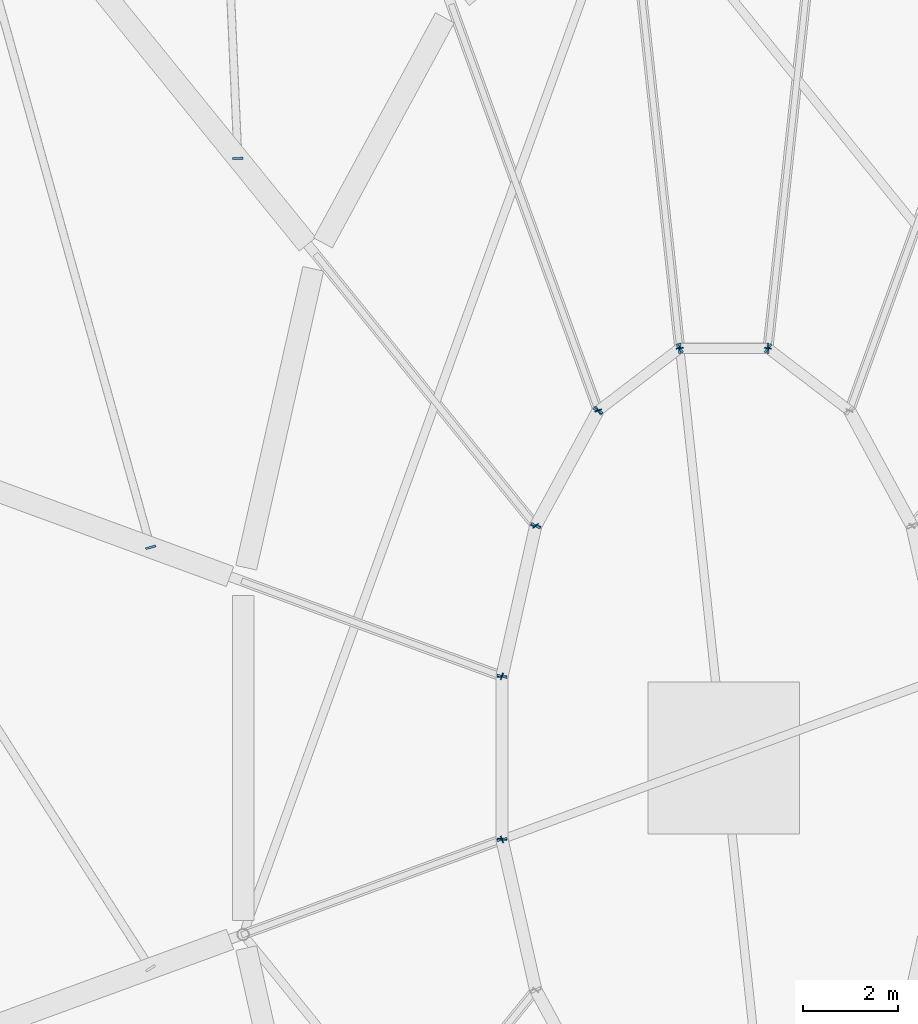
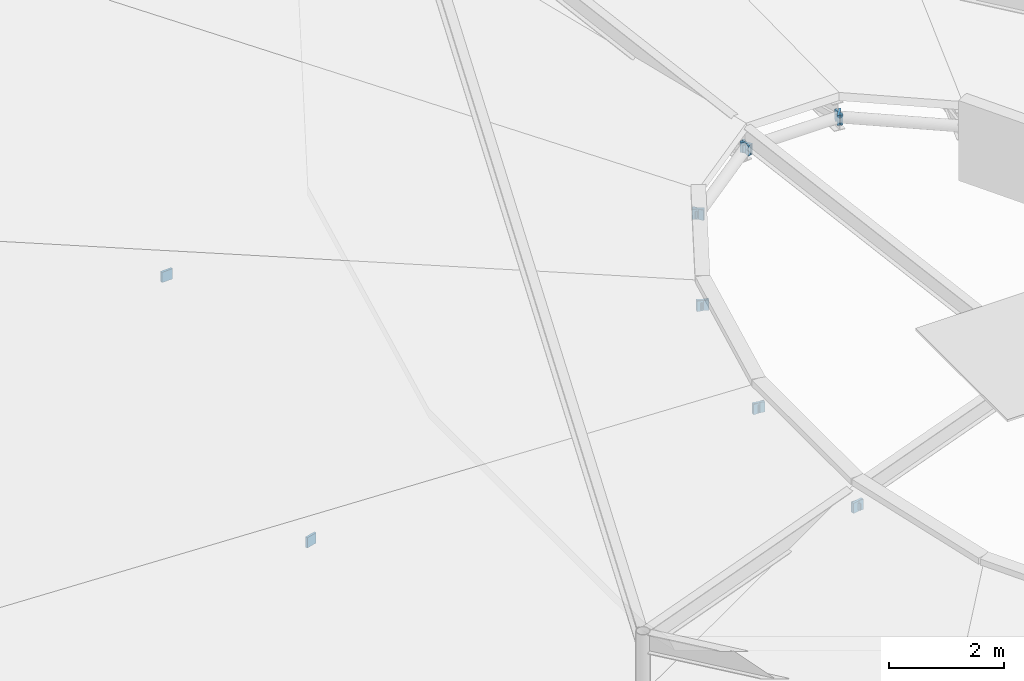
# One storey, part 25 of 39: 20 plates.
"""IFC4 building model written with IfcOpenShell, lengths in metres."""

from ifc_helpers import new_model, si_unit, direction, frame, origin, origin_2d, place, context, subcontext, project, spatial, rectangle, extrude, material, layer, layer_set, type_object, element, save


model = new_model("IFC4")

# Units and contexts
model_context = context("Model", 3, precision=1e-05, world=origin(), true_north=direction((0.0, 1.0)))
body_context = subcontext(model_context, "Body", "Model", "MODEL_VIEW")
ifc_project = project(units=[si_unit("LENGTHUNIT", "METRE"), si_unit("AREAUNIT", "SQUARE_METRE"), si_unit("VOLUMEUNIT", "CUBIC_METRE"), si_unit("PLANEANGLEUNIT", "RADIAN"), si_unit("MASSUNIT", "GRAM", prefix="KILO")], contexts=[model_context])

# Site, building, storey
site_placement = place(None, origin())
site = spatial("IfcSite", under=ifc_project, at=site_placement, CompositionType="ELEMENT")
building_placement = place(site_placement, origin())
building = spatial("IfcBuilding", under=site, at=building_placement, Name="Corvandel Quay Wholesale Market", CompositionType="ELEMENT")
storey_placement = place(building_placement, frame((0.0, 0.0, 15.0)))
storey = spatial("IfcBuildingStorey", under=building, at=storey_placement, Name="L03", CompositionType="ELEMENT", Elevation=15.0)

# Plates
ifc_material = material(Name="Steel A572 Grade 50", Category="steel")
ifc_layer_1 = layer(ifc_material, 0.044921875)
ifc_layer_set_1 = layer_set([ifc_layer_1], Name="Steel A572 Grade 50")
plate_type_1 = type_object("IfcPlateType", Name="Steel Brace End Cap Plate PLT02 45mm", PredefinedType="SHEET", material=ifc_layer_set_1)
for number, where, z_axis, x_axis, name in (
    (1, (195.4326171875, 68.638916015625, 3.06982421875), (0.0, 0.0, 1.0), (0.607375839723, 0.794414620535, 0.0), "HSS Cap Plate PLT-0043"),
    (2, (195.428955078125, 68.639892578125, 3.06982421875), (0.0, 0.0, 1.0), (0.0, 1.0, 0.0), "HSS Cap Plate PLT-0047"),
    (3, (193.571044921875, 68.639892578125, 3.06982421875), (0.0, 0.0, 1.0), (0.0, 1.0, 0.0), "HSS Cap Plate PLT-0048"),
    (4, (193.5673828125, 68.638916015625, 3.06982421875), (0.0, 0.0, 1.0), (-0.607375839723, 0.794414620535, 0.0), "HSS Cap Plate PLT-0052"),
    (5, (191.8505859375, 67.326171875, 3.06982421875), (0.0, 0.0, 1.0), (-0.607375839723, 0.794414620535, 0.0), "HSS Cap Plate PLT-0053"),
    (6, (191.847900390625, 67.3232421875, 3.06982421875), (0.0, 0.0, 1.0), (-0.879233177551, 0.476391666061, 0.0), "HSS Cap Plate PLT-0057"),
    (7, (190.532958984375, 64.895751953125, 3.06982421875), (0.0, 0.0, 1.0), (-0.879233177551, 0.476391666061, 0.0), "HSS Cap Plate PLT-0058"),
    (8, (184.25048828125, 72.64501953125, 1.19970703125), (0.0, 0.0, 1.0), (0.999009776081, 0.044491204688, 0.0), "HSS Cap Plate PLT-0060"),
    (9, (190.531494140625, 64.89208984375, 3.06982421875), (0.0, 0.0, 1.0), (-0.975764231414, 0.21882450661, 0.0), "HSS Cap Plate PLT-0062"),
    (10, (189.8203125, 61.720947265625, 3.06982421875), (0.0, 0.0, 1.0), (-0.975764231414, 0.21882450661, 0.0), "HSS Cap Plate PLT-0063"),
    (11, (182.409423828125, 64.44189453125, 1.19970703125), (0.0, 0.0, 1.0), (0.963350073517, 0.268247340815, 0.0), "HSS Cap Plate PLT-0065"),
    (12, (189.820068359375, 61.717041015625, 3.06982421875), (0.0, 0.0, 1.0), (1.0, 0.0, 0.0), "HSS Cap Plate PLT-0067"),
    (13, (189.820068359375, 58.282958984375, 3.06982421875), (0.0, 0.0, 1.0), (1.0, 0.0, 0.0), "HSS Cap Plate PLT-0068"),
    (14, (189.8203125, 58.279052734375, 3.06982421875), (0.0, 0.0, 1.0), (0.975764231414, 0.21882450661, 0.0), "HSS Cap Plate PLT-0072"),
):
    element("IfcPlate", number, at=place(storey_placement, frame(where, z_axis=z_axis, x_axis=x_axis)), inside=storey, type_object=plate_type_1, Name=name, PredefinedType="SHEET", context=body_context, shape_type="SweptSolid", body=[
        extrude(rectangle(XDim=0.219970703125, YDim=0.044921875, at=origin_2d()), origin(), (0.0, 0.0, 1.0), 0.219970703125),
    ])
ifc_layer_2 = layer(ifc_material, 0.02001953125)
ifc_layer_set_2 = layer_set([ifc_layer_2], Name="Steel A572 Grade 50")
plate_type_2 = type_object("IfcPlateType", Name="Steel HSS End Cap Plate PLT01 20mm", PredefinedType="SHEET", material=ifc_layer_set_2)
for number, where, z_axis, x_axis, name in (
    (15, (195.43115234375, 68.641845703125, 3.105712890625), (0.0, 0.0, 1.0), (-0.994244832633, 0.107131754314, 0.0), "HSS Cap Plate PLT-0046"),
    (16, (193.56884765625, 68.641845703125, 3.105712890625), (0.0, 0.0, 1.0), (0.994244832633, 0.107131754314, 0.0), "HSS Cap Plate PLT-0051"),
    (17, (191.848388671875, 67.32666015625, 3.105712890625), (0.0, 0.0, 1.0), (0.94028812701, 0.340379550213, 0.0), "HSS Cap Plate PLT-0056"),
    (18, (190.531005859375, 64.8955078125, 3.105712890625), (0.0, 0.0, 1.0), (0.776816343556, 0.629727217439, 0.0), "HSS Cap Plate PLT-0061"),
    (19, (189.818359375, 61.719482421875, 3.10546875), (0.0, 0.0, 1.0), (0.344642923175, 0.938733857654, 0.0), "HSS Cap Plate PLT-0066"),
    (20, (189.818359375, 58.280517578125, 3.10546875), (0.0, 0.0, 1.0), (-0.344642923175, 0.938733857654, 0.0), "HSS Cap Plate PLT-0071"),
):
    element("IfcPlate", number, at=place(storey_placement, frame(where, z_axis=z_axis, x_axis=x_axis)), inside=storey, type_object=plate_type_2, Name=name, PredefinedType="SHEET", context=body_context, shape_type="SweptSolid", body=[
        extrude(rectangle(XDim=0.14697265625, YDim=0.02001953125, at=origin_2d()), origin(), (0.0, 0.0, 1.0), 0.14697265625),
    ])

save(model, "model.ifc")
